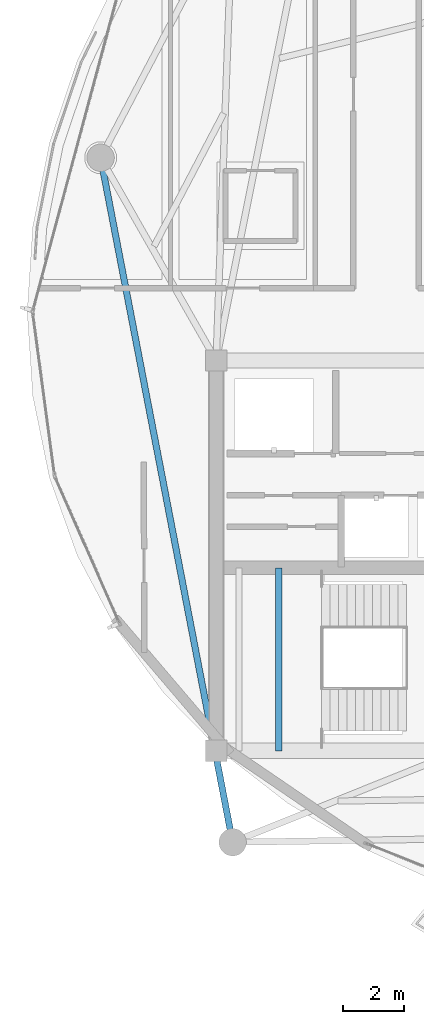
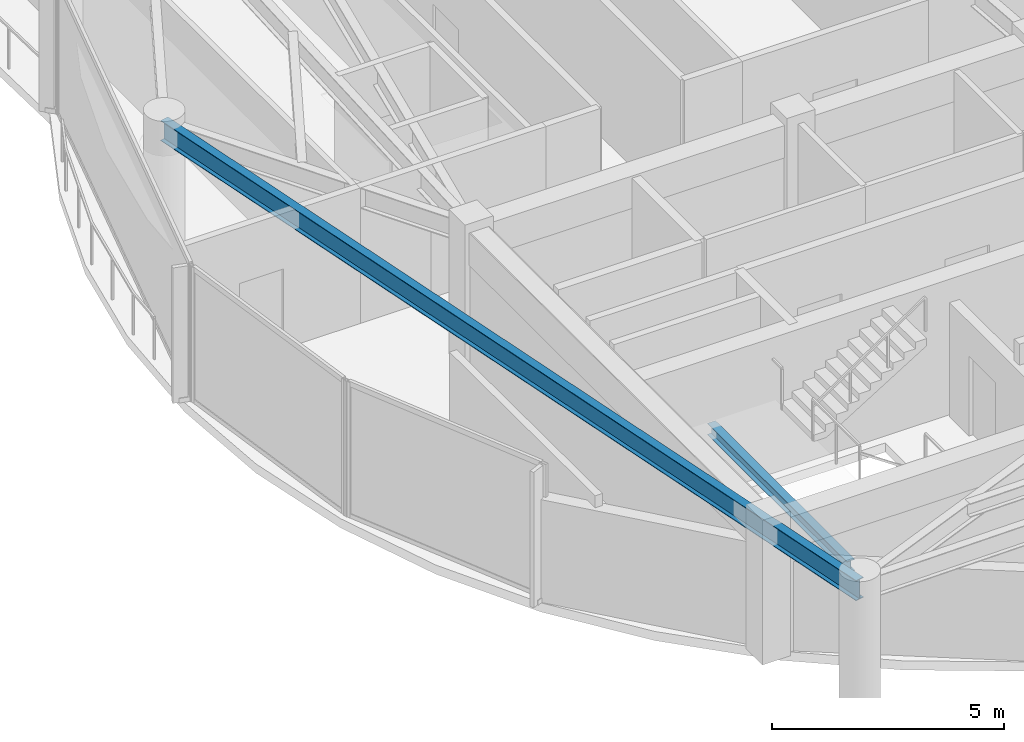
# One storey, part 4 of 23: 2 beams.
"""IFC4 building model written with IfcOpenShell, lengths in metres."""

from ifc_helpers import new_model, si_unit, direction, frame, origin, origin_2d, place, context, subcontext, project, spatial, i_section, extrude, material, material_profile, profile_set, type_object, element, save


model = new_model("IFC4")

# Units and contexts
model_context = context("Model", 3, precision=1e-05, world=origin(), true_north=direction((0.0, 1.0)))
body_context = subcontext(model_context, "Body", "Model", "MODEL_VIEW")
ifc_project = project(units=[si_unit("LENGTHUNIT", "METRE"), si_unit("AREAUNIT", "SQUARE_METRE"), si_unit("VOLUMEUNIT", "CUBIC_METRE"), si_unit("PLANEANGLEUNIT", "RADIAN"), si_unit("MASSUNIT", "GRAM", prefix="KILO")], contexts=[model_context])

# Site, building, storey
site_placement = place(None, origin())
site = spatial("IfcSite", under=ifc_project, at=site_placement, CompositionType="ELEMENT")
building_placement = place(site_placement, origin())
building = spatial("IfcBuilding", under=site, at=building_placement, Name="Kazevale Care Tower and Concert Hall", CompositionType="ELEMENT")
storey_placement = place(building_placement, frame((0.0, 0.0, 266.199951171875)))
storey = spatial("IfcBuildingStorey", under=building, at=storey_placement, Name="L70", CompositionType="ELEMENT", Elevation=266.199951171875)

# Beams
ifc_material = material(Name="Steel ASTM A572 Gr 50", Category="steel")
ifc_material_profile_1 = material_profile(ifc_material, i_section(OverallWidth=0.202880859375, OverallDepth=0.302978515625, WebThickness=0.007568359375, FlangeThickness=0.01318359375, at=origin_2d()), Name="W310x60")
ifc_profile_set_1 = profile_set([ifc_material_profile_1], Name="Steel ASTM A572 Gr 50")
beam_type_1 = type_object("IfcBeamType", Name="Stair & Balcony Trimmer W310x60", PredefinedType="BEAM", material=ifc_profile_set_1)
beam_1_placement = place(storey_placement, frame((24.050048828125, 23.60009765625, 1.548583984375), z_axis=(0.0, 1.0, 0.0), x_axis=(-1.0, 0.0, 0.0)))
element("IfcBeam", 1, at=beam_1_placement, inside=storey, type_object=beam_type_1, Name="beam:L70:sttrim:ST1b", PredefinedType="BEAM", context=body_context, shape_type="SweptSolid", body=[
    extrude(i_section(OverallWidth=0.202880859375, OverallDepth=0.302978515625, WebThickness=0.007568359375, FlangeThickness=0.01318359375, at=origin_2d()), origin(), (0.0, 0.0, 1.0), 6.0),
])
ifc_material_profile_2 = material_profile(ifc_material, i_section(OverallWidth=0.208984375, OverallDepth=0.532958984375, WebThickness=0.01025390625, FlangeThickness=0.015625, at=origin_2d()), Name="W530x92")
ifc_profile_set_2 = profile_set([ifc_material_profile_2], Name="Steel ASTM A572 Gr 50")
beam_type_2 = type_object("IfcBeamType", Name="Upper Ring Beam W530x92", PredefinedType="BEAM", material=ifc_profile_set_2)
beam_2_placement = place(storey_placement, frame((18.2099609375, 43.050048828125, 3.29345703125), z_axis=(0.189386387255, -0.981902640959, 0.0), x_axis=(0.981902640959, 0.189386387255, 0.0)))
element("IfcBeam", 2, at=beam_2_placement, inside=storey, type_object=beam_type_2, Name="beam:L70:ring:09", PredefinedType="BEAM", context=body_context, shape_type="SweptSolid", body=[
    extrude(i_section(OverallWidth=0.208984375, OverallDepth=0.532958984375, WebThickness=0.01025390625, FlangeThickness=0.015625, at=origin_2d()), origin(), (0.0, 0.0, 1.0), 22.86376953125),
])

save(model, "model.ifc")
